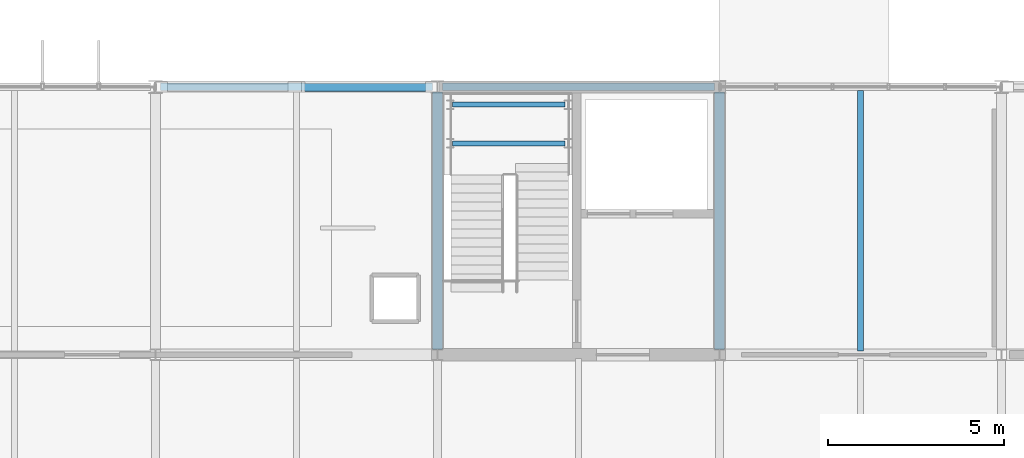
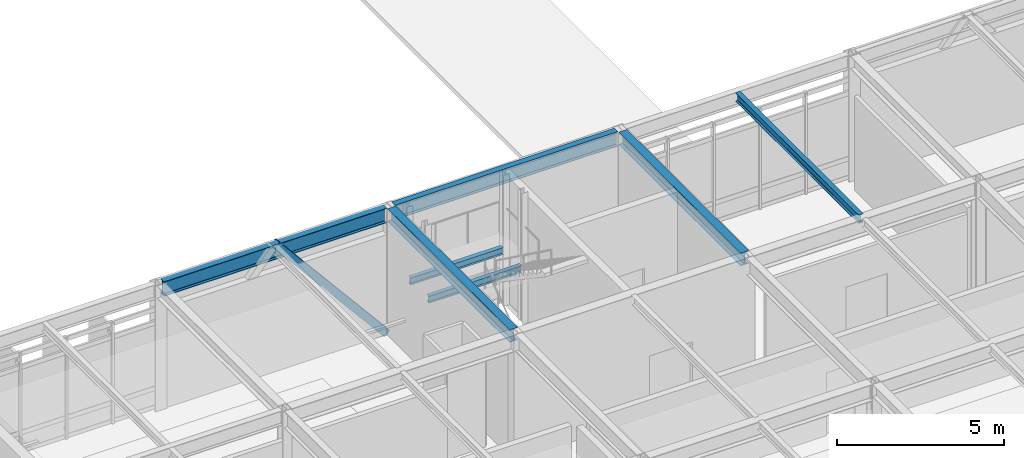
# One storey, part 26 of 100: 7 beams, 1 member.
"""IFC4 building model written with IfcOpenShell, lengths in metres."""

from ifc_helpers import new_model, si_unit, direction, frame, origin, origin_2d, place, context, subcontext, project, spatial, hollow_rectangle, i_section, extrude, material, material_profile, profile_set, type_object, element, save


model = new_model("IFC4")

# Units and contexts
model_context = context("Model", 3, precision=1e-05, world=origin(), true_north=direction((0.0, 1.0)))
body_context = subcontext(model_context, "Body", "Model", "MODEL_VIEW")
ifc_project = project(units=[si_unit("LENGTHUNIT", "METRE"), si_unit("AREAUNIT", "SQUARE_METRE"), si_unit("VOLUMEUNIT", "CUBIC_METRE"), si_unit("PLANEANGLEUNIT", "RADIAN"), si_unit("MASSUNIT", "GRAM", prefix="KILO")], contexts=[model_context])

# Site, building, storey
site_placement = place(None, origin())
site = spatial("IfcSite", under=ifc_project, at=site_placement, CompositionType="ELEMENT")
building_placement = place(site_placement, origin())
building = spatial("IfcBuilding", under=site, at=building_placement, Name="Zulena Civic Courthouse", CompositionType="ELEMENT")
storey_placement = place(building_placement, frame((0.0, 0.0, 20.39990234375)))
storey = spatial("IfcBuildingStorey", under=building, at=storey_placement, Name="L04", CompositionType="ELEMENT", Elevation=20.39990234375)

# Member
ifc_material_1 = material(Name="Steel ASTM A500 Grade C", Category="steel")
ifc_material_profile_1 = material_profile(ifc_material_1, hollow_rectangle(XDim=0.25390625, YDim=0.25390625, WallThickness=0.01171875, at=origin_2d()), Name="HSS10X10X1/2")
ifc_profile_set_1 = profile_set([ifc_material_profile_1], Name="Steel ASTM A500 Grade C")
member_type = type_object("IfcMemberType", Name="Brace_HSS10", PredefinedType="BRACE", material=ifc_profile_set_1)
member_placement = place(storey_placement, frame((19.85009765625, 22.800048828125, 0.010009765625), z_axis=(-0.641014438311, 0.0, 0.767528820225), x_axis=(0.0, -1.0, 0.0)))
element("IfcMember", 1, at=member_placement, inside=storey, type_object=member_type, Name="brace:V2:L04:0:1", PredefinedType="BRACE", context=body_context, shape_type="SweptSolid", body=[
    extrude(hollow_rectangle(XDim=0.25390625, YDim=0.25390625, WallThickness=0.01171875, at=origin_2d()), origin(), (0.0, 0.0, 1.0), 5.92822265625),
])

# Beams
ifc_material_2 = material(Name="Steel ASTM A992 Grade 50", Category="steel")
ifc_material_profile_2 = material_profile(ifc_material_2, i_section(OverallWidth=0.14599609375, OverallDepth=0.258056640625, WebThickness=0.006103515625, FlangeThickness=0.009033203125, FilletRadius=0.007568359375, at=origin_2d()), Name="W10X22")
ifc_profile_set_2 = profile_set([ifc_material_profile_2], Name="Steel ASTM A992 Grade 50")
beam_type_1 = type_object("IfcBeamType", Name="Joist_W10X22", PredefinedType="JOIST", material=ifc_profile_set_2)
for number, where, z_axis, x_axis, name in (
    (2, (20.419921875, 21.199951171875, 1.9912109375), (1.0, 0.0, 0.0), (0.0, 1.0, 0.0), "beam:lnd:K2A:L04:0"),
    (3, (20.419921875, 22.300048828125, 1.9912109375), (1.0, 0.0, 0.0), (0.0, 1.0, 0.0), "beam:lnd:K2A:L04:1"),
):
    element("IfcBeam", number, at=place(storey_placement, frame(where, z_axis=z_axis, x_axis=x_axis)), inside=storey, type_object=beam_type_1, Name=name, PredefinedType="JOIST", context=body_context, shape_type="SweptSolid", body=[
        extrude(i_section(OverallWidth=0.14599609375, OverallDepth=0.258056640625, WebThickness=0.006103515625, FlangeThickness=0.009033203125, FilletRadius=0.007568359375, at=origin_2d()), origin(), (0.0, 0.0, 1.0), 3.2001953125),
    ])
ifc_material_profile_3 = material_profile(ifc_material_2, i_section(OverallWidth=0.1650390625, OverallDepth=0.31005859375, WebThickness=0.005859375, FlangeThickness=0.009765625, FilletRadius=0.009765625, at=origin_2d()), Name="W12X26")
ifc_profile_set_3 = profile_set([ifc_material_profile_3], Name="Steel ASTM A992 Grade 50")
beam_type_2 = type_object("IfcBeamType", Name="Joist_W12X26", PredefinedType="JOIST", material=ifc_profile_set_3)
beam_placement = place(storey_placement, frame((32.0, 15.304931640625, 4.440185546875), z_axis=(0.0, 1.0, 0.0), x_axis=(-1.0, 0.0, 0.0)))
element("IfcBeam", 4, at=beam_placement, inside=storey, type_object=beam_type_2, Name="joist:V2:L04:32.00:15.2_22.8", PredefinedType="JOIST", context=body_context, shape_type="SweptSolid", body=[
    extrude(i_section(OverallWidth=0.1650390625, OverallDepth=0.31005859375, WebThickness=0.005859375, FlangeThickness=0.009765625, FilletRadius=0.009765625, at=origin_2d()), origin(), (0.0, 0.0, 1.0), 7.39013671875),
])
ifc_material_profile_4 = material_profile(ifc_material_2, i_section(OverallWidth=0.280029296875, OverallDepth=0.462890625, WebThickness=0.0107421875, FlangeThickness=0.017333984375, FilletRadius=0.01025390625, at=origin_2d()), Name="W18X76")
ifc_profile_set_4 = profile_set([ifc_material_profile_4], Name="Steel ASTM A992 Grade 50")
beam_type_3 = type_object("IfcBeamType", Name="Spandrel_W18X76", PredefinedType="SPANDREL", material=ifc_profile_set_4)
for number, where, z_axis, x_axis, name in (
    (5, (20.0, 15.344970703125, 4.363525390625), (0.0, 1.0, 0.0), (-1.0, 0.0, 0.0), "beam:Y:V2:L04:20.0:15.2_22.8"),
    (6, (28.0, 15.344970703125, 4.363525390625), (0.0, 1.0, 0.0), (-1.0, 0.0, 0.0), "beam:Y:V2:L04:28.0:15.2_22.8"),
):
    element("IfcBeam", number, at=place(storey_placement, frame(where, z_axis=z_axis, x_axis=x_axis)), inside=storey, type_object=beam_type_3, Name=name, PredefinedType="SPANDREL", context=body_context, shape_type="SweptSolid", body=[
        extrude(i_section(OverallWidth=0.280029296875, OverallDepth=0.462890625, WebThickness=0.0107421875, FlangeThickness=0.017333984375, FilletRadius=0.01025390625, at=origin_2d()), origin(), (0.0, 0.0, 1.0), 7.31005859375),
    ])
ifc_material_profile_5 = material_profile(ifc_material_2, i_section(OverallWidth=0.2099609375, OverallDepth=0.537109375, WebThickness=0.010986328125, FlangeThickness=0.017333984375, FilletRadius=0.0126953125, at=origin_2d()), Name="W21X68")
ifc_profile_set_5 = profile_set([ifc_material_profile_5], Name="Steel ASTM A992 Grade 50")
beam_type_4 = type_object("IfcBeamType", Name="Spandrel_W21X68", PredefinedType="SPANDREL", material=ifc_profile_set_5)
for number, where, z_axis, x_axis, name in (
    (7, (12.14501953125, 22.800048828125, 4.32666015625), (1.0, 0.0, 0.0), (0.0, 1.0, 0.0), "beam:X:V2:L04:22.8:12.0_20.0"),
    (8, (20.14501953125, 22.800048828125, 4.32666015625), (1.0, 0.0, 0.0), (0.0, 1.0, 0.0), "beam:X:V2:L04:22.8:20.0_28.0"),
):
    element("IfcBeam", number, at=place(storey_placement, frame(where, z_axis=z_axis, x_axis=x_axis)), inside=storey, type_object=beam_type_4, Name=name, PredefinedType="SPANDREL", context=body_context, shape_type="SweptSolid", body=[
        extrude(i_section(OverallWidth=0.2099609375, OverallDepth=0.537109375, WebThickness=0.010986328125, FlangeThickness=0.017333984375, FilletRadius=0.0126953125, at=origin_2d()), origin(), (0.0, 0.0, 1.0), 7.7099609375),
    ])

save(model, "model.ifc")
